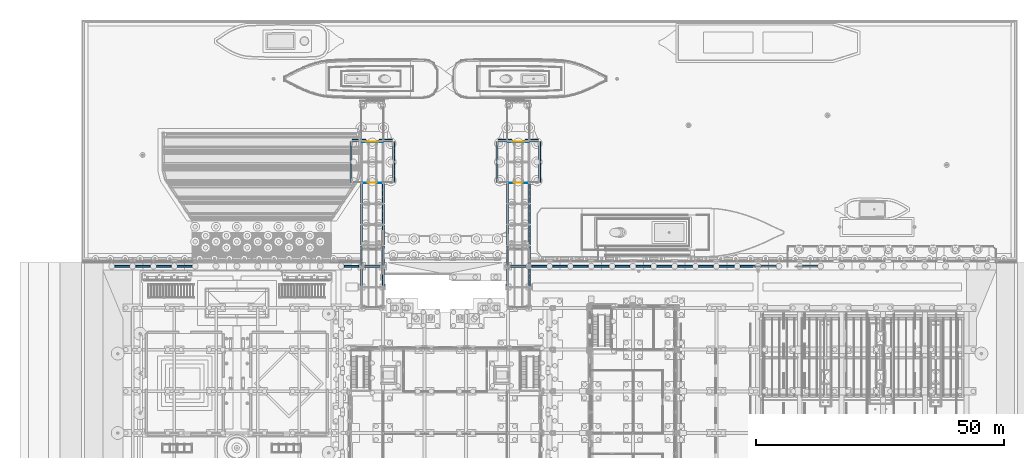
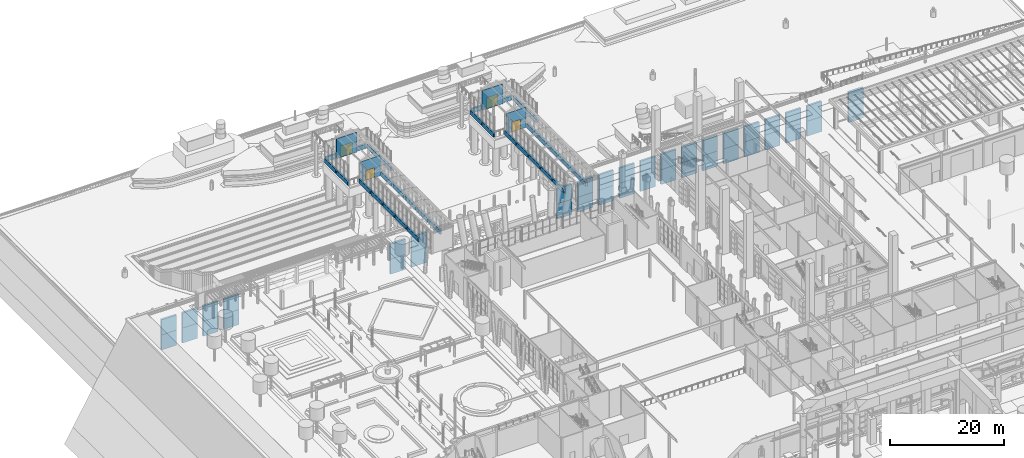
# One storey, part 102 of 222: 76 walls, 4 doors, 4 openings.
"""IFC4 building model written with IfcOpenShell, lengths in metres."""

from ifc_helpers import new_model, si_unit, direction, frame, frame_2d, origin, place, context, subcontext, project, spatial, rectangle, extrude, material, layer, layer_set, type_object, element, fill, save


model = new_model("IFC4")

# Units and contexts
model_context = context("Model", 3, precision=1e-05, world=origin(), true_north=direction((0.0, 1.0)))
body_context = subcontext(model_context, "Body", "Model", "MODEL_VIEW")
ifc_project = project(units=[si_unit("LENGTHUNIT", "METRE"), si_unit("AREAUNIT", "SQUARE_METRE"), si_unit("VOLUMEUNIT", "CUBIC_METRE"), si_unit("PLANEANGLEUNIT", "RADIAN"), si_unit("MASSUNIT", "GRAM", prefix="KILO")], contexts=[model_context])

# Site, building, storey
site_placement = place(None, origin())
site = spatial("IfcSite", under=ifc_project, at=site_placement, CompositionType="ELEMENT")
building_placement = place(site_placement, origin())
building = spatial("IfcBuilding", under=site, at=building_placement, Name="Sava Quay Ferry Terminal", CompositionType="ELEMENT")
storey_placement = place(building_placement, origin())
storey = spatial("IfcBuildingStorey", under=building, at=storey_placement, Name="L00", CompositionType="ELEMENT", Elevation=0.0)

# Wall, opening, door
ifc_material_1 = material(Name="Aluminium bronze anodised", Category="aluminium")
ifc_layer_1 = layer(ifc_material_1, 0.199951171875)
ifc_layer_set_1 = layer_set([ifc_layer_1], Name="Aluminium bronze anodised")
wall_type_1 = type_object("IfcWallType", Name="Gallery kerb wall 200", PredefinedType="SOLIDWALL", material=ifc_layer_set_1)
wall_1_placement = place(storey_placement, frame((46.199951171875, 142.699951171875, 0.0), z_axis=(0.0, 0.0, 1.0), x_axis=(1.0, 0.0, 0.0)))
wall_1 = element("IfcWall", 1, at=wall_1_placement, inside=storey, type_object=wall_type_1, Name="External wall B1 end N", PredefinedType="SOLIDWALL", context=body_context, shape_type="SweptSolid", body=[
    extrude(rectangle(XDim=4.199951171875, YDim=0.199951171875, at=frame_2d((2.10009765625, 0.0))), origin(), (0.0, 0.0, 1.0), 4.199951171875),
])
opening_1_placement = place(wall_1_placement, frame((0.89990234375, 0.0, 0.0)))
opening_1 = element("IfcOpeningElement", 2, at=opening_1_placement, cuts=wall_1, Name="Opening DB-1", PredefinedType="OPENING", context=body_context, shape_type="SweptSolid", body=[
    extrude(rectangle(XDim=2.39990234375, YDim=2.39990234375, at=frame_2d((1.199951171875, 1.199951171875))), frame((0.0, 0.10009765625, 0.0), z_axis=(0.0, -1.0, 0.0), x_axis=(1.0, 0.0, 0.0)), (0.0, 0.0, 1.0), 0.199951171875),
])
ifc_material_2 = material(Name="Aluminium bronze anodised, glazing safety laminated", Category="aluminium")
door_type_1 = type_object("IfcDoorType", Name="Entrance double door 2400x2400", OperationType="DOUBLE_DOOR_SINGLE_SWING", PredefinedType="DOOR", material=ifc_material_2)
door_1_placement = place(opening_1_placement, origin())
door_1 = element("IfcDoor", 3, at=door_1_placement, inside=storey, type_object=door_type_1, Name="Door DB-1", OperationType="DOUBLE_DOOR_SINGLE_SWING", OverallHeight=2.39990234375, OverallWidth=2.39990234375, PredefinedType="DOOR", context=body_context, shape_type="SweptSolid", body=[
    extrude(rectangle(XDim=2.39990234375, YDim=2.39990234375, at=frame_2d((1.199951171875, 1.199951171875))), frame((0.0, 0.02490234375, 0.0), z_axis=(0.0, -1.0, 0.0), x_axis=(1.0, 0.0, 0.0)), (0.0, 0.0, 1.0), 0.050048828125),
])
fill(opening_1, door_1)

wall_2_placement = place(storey_placement, frame((75.60009765625, 142.699951171875, 0.0), z_axis=(0.0, 0.0, 1.0), x_axis=(1.0, 0.0, 0.0)))
wall_2 = element("IfcWall", 4, at=wall_2_placement, inside=storey, type_object=wall_type_1, Name="External wall B2 end N", PredefinedType="SOLIDWALL", context=body_context, shape_type="SweptSolid", body=[
    extrude(rectangle(XDim=4.199951171875, YDim=0.199951171875, at=frame_2d((2.10009765625, 0.0))), origin(), (0.0, 0.0, 1.0), 4.199951171875),
])
opening_2_placement = place(wall_2_placement, frame((0.89990234375, 0.0, 0.0)))
opening_2 = element("IfcOpeningElement", 5, at=opening_2_placement, cuts=wall_2, Name="Opening DB-2", PredefinedType="OPENING", context=body_context, shape_type="SweptSolid", body=[
    extrude(rectangle(XDim=2.39990234375, YDim=2.39990234375, at=frame_2d((1.199951171875, 1.199951171875))), frame((0.0, 0.10009765625, 0.0), z_axis=(0.0, -1.0, 0.0), x_axis=(1.0, 0.0, 0.0)), (0.0, 0.0, 1.0), 0.199951171875),
])
door_2_placement = place(opening_2_placement, origin())
door_2 = element("IfcDoor", 6, at=door_2_placement, inside=storey, type_object=door_type_1, Name="Door DB-2", OperationType="DOUBLE_DOOR_SINGLE_SWING", OverallHeight=2.39990234375, OverallWidth=2.39990234375, PredefinedType="DOOR", context=body_context, shape_type="SweptSolid", body=[
    extrude(rectangle(XDim=2.39990234375, YDim=2.39990234375, at=frame_2d((1.199951171875, 1.199951171875))), frame((0.0, 0.02490234375, 0.0), z_axis=(0.0, -1.0, 0.0), x_axis=(1.0, 0.0, 0.0)), (0.0, 0.0, 1.0), 0.050048828125),
])
fill(opening_2, door_2)

# Walls
ifc_material_3 = material(Name="Limestone Mutalj", Category="masonry")
ifc_layer_2 = layer(ifc_material_3, 0.35009765625)
ifc_layer_set_2 = layer_set([ifc_layer_2], Name="Limestone Mutalj")
wall_type_2 = type_object("IfcWallType", Name="Limestone kerb and parapet 350", PredefinedType="SOLIDWALL", material=ifc_layer_set_2)
for number, where, z_axis, x_axis, name in (
    (7, (50.5, 113.550048828125, 0.0), (0.0, 0.0, 1.0), (0.0, 1.0, 0.0), "Gallery kerb"),
    (8, (50.5, 117.75, 0.0), (0.0, 0.0, 1.0), (0.0, 1.0, 0.0), "Gallery kerb"),
):
    element("IfcWall", number, at=place(storey_placement, frame(where, z_axis=z_axis, x_axis=x_axis)), inside=storey, type_object=wall_type_2, Name=name, PredefinedType="SOLIDWALL", context=body_context, shape_type="SweptSolid", body=[
        extrude(rectangle(XDim=3.89990234375, YDim=0.35009765625, at=frame_2d((1.949951171875, 0.0))), origin(), (0.0, 0.0, 1.0), 0.89990234375),
    ])
for number, where, z_axis, x_axis, name in (
    (9, (50.5, 121.949951171875, 0.0), (0.0, 0.0, 1.0), (0.0, 1.0, 0.0), "Gallery kerb"),
    (10, (50.5, 126.14990234375, 0.0), (0.0, 0.0, 1.0), (0.0, 1.0, 0.0), "Gallery kerb"),
):
    element("IfcWall", number, at=place(storey_placement, frame(where, z_axis=z_axis, x_axis=x_axis)), inside=storey, type_object=wall_type_2, Name=name, PredefinedType="SOLIDWALL", context=body_context, shape_type="SweptSolid", body=[
        extrude(rectangle(XDim=3.900146484375, YDim=0.35009765625, at=frame_2d((1.9501953125, 0.0))), origin(), (0.0, 0.0, 1.0), 0.89990234375),
    ])
for number, where, z_axis, x_axis, name in (
    (11, (50.5, 130.35009765625, 0.0), (0.0, 0.0, 1.0), (0.0, 1.0, 0.0), "Gallery kerb"),
    (12, (52.60009765625, 134.550048828125, 0.0), (0.0, 0.0, 1.0), (0.0, 1.0, 0.0), "Gallery kerb"),
    (13, (52.60009765625, 138.75, 0.0), (0.0, 0.0, 1.0), (0.0, 1.0, 0.0), "Gallery kerb"),
):
    element("IfcWall", number, at=place(storey_placement, frame(where, z_axis=z_axis, x_axis=x_axis)), inside=storey, type_object=wall_type_2, Name=name, PredefinedType="SOLIDWALL", context=body_context, shape_type="SweptSolid", body=[
        extrude(rectangle(XDim=3.89990234375, YDim=0.35009765625, at=frame_2d((1.949951171875, 0.0))), origin(), (0.0, 0.0, 1.0), 0.89990234375),
    ])
wall_3_placement = place(storey_placement, frame((44.25, 142.97509765625, 0.0), z_axis=(0.0, 0.0, 1.0), x_axis=(1.0, 0.0, 0.0)))
element("IfcWall", 14, at=wall_3_placement, inside=storey, type_object=wall_type_2, Name="Gallery kerb", PredefinedType="SOLIDWALL", context=body_context, shape_type="SweptSolid", body=[
    extrude(rectangle(XDim=2.699951171875, YDim=0.35009765625, at=frame_2d((1.35009765625, 0.0))), origin(), (0.0, 0.0, 1.0), 0.89990234375),
])
wall_4_placement = place(storey_placement, frame((49.64990234375, 142.97509765625, 0.0), z_axis=(0.0, 0.0, 1.0), x_axis=(1.0, 0.0, 0.0)))
element("IfcWall", 15, at=wall_4_placement, inside=storey, type_object=wall_type_2, Name="Gallery kerb", PredefinedType="SOLIDWALL", context=body_context, shape_type="SweptSolid", body=[
    extrude(rectangle(XDim=2.7001953125, YDim=0.35009765625, at=frame_2d((1.35009765625, 0.0))), origin(), (0.0, 0.0, 1.0), 0.89990234375),
])
for number, where, z_axis, x_axis, name in (
    (16, (44.0, 134.550048828125, 0.0), (0.0, 0.0, 1.0), (0.0, 1.0, 0.0), "Gallery kerb"),
    (17, (44.0, 138.75, 0.0), (0.0, 0.0, 1.0), (0.0, 1.0, 0.0), "Gallery kerb"),
    (18, (46.10009765625, 113.550048828125, 0.0), (0.0, 0.0, 1.0), (0.0, 1.0, 0.0), "Gallery kerb"),
    (19, (46.10009765625, 117.75, 0.0), (0.0, 0.0, 1.0), (0.0, 1.0, 0.0), "Gallery kerb"),
):
    element("IfcWall", number, at=place(storey_placement, frame(where, z_axis=z_axis, x_axis=x_axis)), inside=storey, type_object=wall_type_2, Name=name, PredefinedType="SOLIDWALL", context=body_context, shape_type="SweptSolid", body=[
        extrude(rectangle(XDim=3.89990234375, YDim=0.35009765625, at=frame_2d((1.949951171875, 0.0))), origin(), (0.0, 0.0, 1.0), 0.89990234375),
    ])
for number, where, z_axis, x_axis, name in (
    (20, (46.10009765625, 121.949951171875, 0.0), (0.0, 0.0, 1.0), (0.0, 1.0, 0.0), "Gallery kerb"),
    (21, (46.10009765625, 126.14990234375, 0.0), (0.0, 0.0, 1.0), (0.0, 1.0, 0.0), "Gallery kerb"),
):
    element("IfcWall", number, at=place(storey_placement, frame(where, z_axis=z_axis, x_axis=x_axis)), inside=storey, type_object=wall_type_2, Name=name, PredefinedType="SOLIDWALL", context=body_context, shape_type="SweptSolid", body=[
        extrude(rectangle(XDim=3.900146484375, YDim=0.35009765625, at=frame_2d((1.9501953125, 0.0))), origin(), (0.0, 0.0, 1.0), 0.89990234375),
    ])
for number, where, z_axis, x_axis, name in (
    (22, (46.10009765625, 130.35009765625, 0.0), (0.0, 0.0, 1.0), (0.0, 1.0, 0.0), "Gallery kerb"),
    (23, (79.89990234375, 113.550048828125, 0.0), (0.0, 0.0, 1.0), (0.0, 1.0, 0.0), "Gallery kerb"),
    (24, (79.89990234375, 117.75, 0.0), (0.0, 0.0, 1.0), (0.0, 1.0, 0.0), "Gallery kerb"),
):
    element("IfcWall", number, at=place(storey_placement, frame(where, z_axis=z_axis, x_axis=x_axis)), inside=storey, type_object=wall_type_2, Name=name, PredefinedType="SOLIDWALL", context=body_context, shape_type="SweptSolid", body=[
        extrude(rectangle(XDim=3.89990234375, YDim=0.35009765625, at=frame_2d((1.949951171875, 0.0))), origin(), (0.0, 0.0, 1.0), 0.89990234375),
    ])
for number, where, z_axis, x_axis, name in (
    (25, (79.89990234375, 121.949951171875, 0.0), (0.0, 0.0, 1.0), (0.0, 1.0, 0.0), "Gallery kerb"),
    (26, (79.89990234375, 126.14990234375, 0.0), (0.0, 0.0, 1.0), (0.0, 1.0, 0.0), "Gallery kerb"),
):
    element("IfcWall", number, at=place(storey_placement, frame(where, z_axis=z_axis, x_axis=x_axis)), inside=storey, type_object=wall_type_2, Name=name, PredefinedType="SOLIDWALL", context=body_context, shape_type="SweptSolid", body=[
        extrude(rectangle(XDim=3.900146484375, YDim=0.35009765625, at=frame_2d((1.9501953125, 0.0))), origin(), (0.0, 0.0, 1.0), 0.89990234375),
    ])
for number, where, z_axis, x_axis, name in (
    (27, (79.89990234375, 130.35009765625, 0.0), (0.0, 0.0, 1.0), (0.0, 1.0, 0.0), "Gallery kerb"),
    (28, (82.0, 134.550048828125, 0.0), (0.0, 0.0, 1.0), (0.0, 1.0, 0.0), "Gallery kerb"),
    (29, (82.0, 138.75, 0.0), (0.0, 0.0, 1.0), (0.0, 1.0, 0.0), "Gallery kerb"),
):
    element("IfcWall", number, at=place(storey_placement, frame(where, z_axis=z_axis, x_axis=x_axis)), inside=storey, type_object=wall_type_2, Name=name, PredefinedType="SOLIDWALL", context=body_context, shape_type="SweptSolid", body=[
        extrude(rectangle(XDim=3.89990234375, YDim=0.35009765625, at=frame_2d((1.949951171875, 0.0))), origin(), (0.0, 0.0, 1.0), 0.89990234375),
    ])
wall_5_placement = place(storey_placement, frame((73.64990234375, 142.97509765625, 0.0), z_axis=(0.0, 0.0, 1.0), x_axis=(1.0, 0.0, 0.0)))
element("IfcWall", 30, at=wall_5_placement, inside=storey, type_object=wall_type_2, Name="Gallery kerb", PredefinedType="SOLIDWALL", context=body_context, shape_type="SweptSolid", body=[
    extrude(rectangle(XDim=2.7001953125, YDim=0.35009765625, at=frame_2d((1.35009765625, 0.0))), origin(), (0.0, 0.0, 1.0), 0.89990234375),
])
wall_6_placement = place(storey_placement, frame((79.050048828125, 142.97509765625, 0.0), z_axis=(0.0, 0.0, 1.0), x_axis=(1.0, 0.0, 0.0)))
element("IfcWall", 31, at=wall_6_placement, inside=storey, type_object=wall_type_2, Name="Gallery kerb", PredefinedType="SOLIDWALL", context=body_context, shape_type="SweptSolid", body=[
    extrude(rectangle(XDim=2.699951171875, YDim=0.35009765625, at=frame_2d((1.35009765625, 0.0))), origin(), (0.0, 0.0, 1.0), 0.89990234375),
])
for number, where, z_axis, x_axis, name in (
    (32, (73.39990234375, 134.550048828125, 0.0), (0.0, 0.0, 1.0), (0.0, 1.0, 0.0), "Gallery kerb"),
    (33, (73.39990234375, 138.75, 0.0), (0.0, 0.0, 1.0), (0.0, 1.0, 0.0), "Gallery kerb"),
    (34, (75.5, 113.550048828125, 0.0), (0.0, 0.0, 1.0), (0.0, 1.0, 0.0), "Gallery kerb"),
    (35, (75.5, 117.75, 0.0), (0.0, 0.0, 1.0), (0.0, 1.0, 0.0), "Gallery kerb"),
):
    element("IfcWall", number, at=place(storey_placement, frame(where, z_axis=z_axis, x_axis=x_axis)), inside=storey, type_object=wall_type_2, Name=name, PredefinedType="SOLIDWALL", context=body_context, shape_type="SweptSolid", body=[
        extrude(rectangle(XDim=3.89990234375, YDim=0.35009765625, at=frame_2d((1.949951171875, 0.0))), origin(), (0.0, 0.0, 1.0), 0.89990234375),
    ])
for number, where, z_axis, x_axis, name in (
    (36, (75.5, 121.949951171875, 0.0), (0.0, 0.0, 1.0), (0.0, 1.0, 0.0), "Gallery kerb"),
    (37, (75.5, 126.14990234375, 0.0), (0.0, 0.0, 1.0), (0.0, 1.0, 0.0), "Gallery kerb"),
):
    element("IfcWall", number, at=place(storey_placement, frame(where, z_axis=z_axis, x_axis=x_axis)), inside=storey, type_object=wall_type_2, Name=name, PredefinedType="SOLIDWALL", context=body_context, shape_type="SweptSolid", body=[
        extrude(rectangle(XDim=3.900146484375, YDim=0.35009765625, at=frame_2d((1.9501953125, 0.0))), origin(), (0.0, 0.0, 1.0), 0.89990234375),
    ])
wall_7_placement = place(storey_placement, frame((75.5, 130.35009765625, 0.0), z_axis=(0.0, 0.0, 1.0), x_axis=(0.0, 1.0, 0.0)))
element("IfcWall", 38, at=wall_7_placement, inside=storey, type_object=wall_type_2, Name="Gallery kerb", PredefinedType="SOLIDWALL", context=body_context, shape_type="SweptSolid", body=[
    extrude(rectangle(XDim=3.89990234375, YDim=0.35009765625, at=frame_2d((1.949951171875, 0.0))), origin(), (0.0, 0.0, 1.0), 0.89990234375),
])
ifc_material_4 = material(Name="Concrete C40/50", Category="concrete")
ifc_layer_3 = layer(ifc_material_4, 0.39990234375)
ifc_layer_set_3 = layer_set([ifc_layer_3], Name="Concrete C40/50")
wall_type_3 = type_object("IfcWallType", Name="Quay face panel 400", PredefinedType="SOLIDWALL", material=ifc_layer_set_3)
for number, where, z_axis, x_axis, name in (
    (39, (-3.599609375, 117.60009765625, -4.875), (0.0, 0.0, 1.0), (1.0, 0.0, 0.0), "Quay face panel"),
    (40, (-3.599609375, 117.60009765625, -8.10009765625), (0.0, 0.0, 1.0), (1.0, 0.0, 0.0), "Quay face panel"),
    (41, (0.6005859375, 117.60009765625, -4.875), (0.0, 0.0, 1.0), (1.0, 0.0, 0.0), "Quay face panel"),
    (42, (0.6005859375, 117.60009765625, -8.10009765625), (0.0, 0.0, 1.0), (1.0, 0.0, 0.0), "Quay face panel"),
    (43, (4.800537109375, 117.60009765625, -4.875), (0.0, 0.0, 1.0), (1.0, 0.0, 0.0), "Quay face panel"),
    (44, (4.800537109375, 117.60009765625, -8.10009765625), (0.0, 0.0, 1.0), (1.0, 0.0, 0.0), "Quay face panel"),
    (45, (9.00048828125, 117.60009765625, -4.875), (0.0, 0.0, 1.0), (1.0, 0.0, 0.0), "Quay face panel"),
    (46, (9.00048828125, 117.60009765625, -8.10009765625), (0.0, 0.0, 1.0), (1.0, 0.0, 0.0), "Quay face panel"),
    (47, (42.6005859375, 117.60009765625, -4.875), (0.0, 0.0, 1.0), (1.0, 0.0, 0.0), "Quay face panel"),
    (48, (42.6005859375, 117.60009765625, -8.10009765625), (0.0, 0.0, 1.0), (1.0, 0.0, 0.0), "Quay face panel"),
    (49, (46.800537109375, 117.60009765625, -4.875), (0.0, 0.0, 1.0), (1.0, 0.0, 0.0), "Quay face panel"),
    (50, (46.800537109375, 117.60009765625, -8.10009765625), (0.0, 0.0, 1.0), (1.0, 0.0, 0.0), "Quay face panel"),
    (51, (76.200439453125, 117.60009765625, -4.875), (0.0, 0.0, 1.0), (1.0, 0.0, 0.0), "Quay face panel"),
    (52, (76.200439453125, 117.60009765625, -8.10009765625), (0.0, 0.0, 1.0), (1.0, 0.0, 0.0), "Quay face panel"),
    (53, (80.400390625, 117.60009765625, -4.875), (0.0, 0.0, 1.0), (1.0, 0.0, 0.0), "Quay face panel"),
    (54, (80.400390625, 117.60009765625, -8.10009765625), (0.0, 0.0, 1.0), (1.0, 0.0, 0.0), "Quay face panel"),
    (55, (84.6005859375, 117.60009765625, -4.875), (0.0, 0.0, 1.0), (1.0, 0.0, 0.0), "Quay face panel"),
    (56, (84.6005859375, 117.60009765625, -8.10009765625), (0.0, 0.0, 1.0), (1.0, 0.0, 0.0), "Quay face panel"),
    (57, (88.800537109375, 117.60009765625, -4.875), (0.0, 0.0, 1.0), (1.0, 0.0, 0.0), "Quay face panel"),
    (58, (88.800537109375, 117.60009765625, -8.10009765625), (0.0, 0.0, 1.0), (1.0, 0.0, 0.0), "Quay face panel"),
    (59, (93.00048828125, 117.60009765625, -4.875), (0.0, 0.0, 1.0), (1.0, 0.0, 0.0), "Quay face panel"),
    (60, (93.00048828125, 117.60009765625, -8.10009765625), (0.0, 0.0, 1.0), (1.0, 0.0, 0.0), "Quay face panel"),
    (61, (97.200439453125, 117.60009765625, -4.875), (0.0, 0.0, 1.0), (1.0, 0.0, 0.0), "Quay face panel"),
    (62, (97.200439453125, 117.60009765625, -8.10009765625), (0.0, 0.0, 1.0), (1.0, 0.0, 0.0), "Quay face panel"),
    (63, (101.400390625, 117.60009765625, -4.875), (0.0, 0.0, 1.0), (1.0, 0.0, 0.0), "Quay face panel"),
    (64, (101.400390625, 117.60009765625, -8.10009765625), (0.0, 0.0, 1.0), (1.0, 0.0, 0.0), "Quay face panel"),
    (65, (105.6005859375, 117.60009765625, -4.875), (0.0, 0.0, 1.0), (1.0, 0.0, 0.0), "Quay face panel"),
    (66, (105.6005859375, 117.60009765625, -8.10009765625), (0.0, 0.0, 1.0), (1.0, 0.0, 0.0), "Quay face panel"),
    (67, (109.800537109375, 117.60009765625, -4.875), (0.0, 0.0, 1.0), (1.0, 0.0, 0.0), "Quay face panel"),
    (68, (109.800537109375, 117.60009765625, -8.10009765625), (0.0, 0.0, 1.0), (1.0, 0.0, 0.0), "Quay face panel"),
    (69, (114.00048828125, 117.60009765625, -4.875), (0.0, 0.0, 1.0), (1.0, 0.0, 0.0), "Quay face panel"),
    (70, (114.00048828125, 117.60009765625, -8.10009765625), (0.0, 0.0, 1.0), (1.0, 0.0, 0.0), "Quay face panel"),
    (71, (118.200439453125, 117.60009765625, -4.875), (0.0, 0.0, 1.0), (1.0, 0.0, 0.0), "Quay face panel"),
    (72, (118.200439453125, 117.60009765625, -8.10009765625), (0.0, 0.0, 1.0), (1.0, 0.0, 0.0), "Quay face panel"),
    (73, (122.400390625, 117.60009765625, -4.875), (0.0, 0.0, 1.0), (1.0, 0.0, 0.0), "Quay face panel"),
    (74, (122.400390625, 117.60009765625, -8.10009765625), (0.0, 0.0, 1.0), (1.0, 0.0, 0.0), "Quay face panel"),
    (75, (126.6005859375, 117.60009765625, -4.875), (0.0, 0.0, 1.0), (1.0, 0.0, 0.0), "Quay face panel"),
    (76, (126.6005859375, 117.60009765625, -8.10009765625), (0.0, 0.0, 1.0), (1.0, 0.0, 0.0), "Quay face panel"),
    (77, (135.00048828125, 117.60009765625, -4.875), (0.0, 0.0, 1.0), (1.0, 0.0, 0.0), "Quay face panel"),
    (78, (135.00048828125, 117.60009765625, -8.10009765625), (0.0, 0.0, 1.0), (1.0, 0.0, 0.0), "Quay face panel"),
):
    element("IfcWall", number, at=place(storey_placement, frame(where, z_axis=z_axis, x_axis=x_axis)), inside=storey, type_object=wall_type_3, Name=name, PredefinedType="SOLIDWALL", context=body_context, shape_type="SweptSolid", body=[
        extrude(rectangle(XDim=2.9990234375, YDim=0.39990234375, at=frame_2d((1.49951171875, 0.0))), origin(), (0.0, 0.0, 1.0), 3.22509765625),
    ])

# Wall, opening, door
ifc_material_5 = material(Name="Plasterboard on steel studs", Category="steel")
ifc_layer_4 = layer(ifc_material_5, 0.125)
ifc_layer_set_4 = layer_set([ifc_layer_4], Name="Plasterboard on steel studs")
wall_type_4 = type_object("IfcWallType", Name="Room partition, plasterboard on steel studs 125", PredefinedType="PARTITIONING", material=ifc_layer_set_4)
wall_8_placement = place(storey_placement, frame((46.320068359375, 134.39990234375, 0.0), z_axis=(0.0, 0.0, 1.0), x_axis=(1.0, 0.0, 0.0)))
wall_8 = element("IfcWall", 79, at=wall_8_placement, inside=storey, type_object=wall_type_4, Name="Room partition, plasterboard on steel studs 125", PredefinedType="PARTITIONING", context=body_context, shape_type="SweptSolid", body=[
    extrude(rectangle(XDim=3.9599609375, YDim=0.125, at=frame_2d((1.97998046875, 0.0))), origin(), (0.0, 0.0, 1.0), 4.300048828125),
])
opening_3_placement = place(wall_8_placement, frame((1.030029296875, 0.0, 0.0)))
opening_3 = element("IfcOpeningElement", 80, at=opening_3_placement, cuts=wall_8, Name="Opening D0036", PredefinedType="OPENING", context=body_context, shape_type="SweptSolid", body=[
    extrude(rectangle(XDim=1.800048828125, YDim=2.10009765625, at=frame_2d((0.89990234375, 1.050048828125))), frame((0.0, 0.0625, 0.0), z_axis=(0.0, -1.0, 0.0), x_axis=(1.0, 0.0, 0.0)), (0.0, 0.0, 1.0), 0.125),
])
ifc_material_6 = material(Name="Timber door set", Category="wood")
door_type_2 = type_object("IfcDoorType", Name="Double door 1800 x 2100", OperationType="NOTDEFINED", PredefinedType="DOOR", material=ifc_material_6)
door_3_placement = place(opening_3_placement, origin())
door_3 = element("IfcDoor", 81, at=door_3_placement, inside=storey, type_object=door_type_2, Name="Door D0036", OperationType="DOUBLE_DOOR_DOUBLE_SWING", OverallHeight=2.10009765625, OverallWidth=1.800048828125, PredefinedType="DOOR", context=body_context, shape_type="SweptSolid", body=[
    extrude(rectangle(XDim=1.800048828125, YDim=2.10009765625, at=frame_2d((0.89990234375, 1.050048828125))), frame((0.0, 0.02490234375, 0.0), z_axis=(0.0, -1.0, 0.0), x_axis=(1.0, 0.0, 0.0)), (0.0, 0.0, 1.0), 0.050048828125),
])
fill(opening_3, door_3)

wall_9_placement = place(storey_placement, frame((75.719970703125, 134.39990234375, 0.0), z_axis=(0.0, 0.0, 1.0), x_axis=(1.0, 0.0, 0.0)))
wall_9 = element("IfcWall", 82, at=wall_9_placement, inside=storey, type_object=wall_type_4, Name="Room partition, plasterboard on steel studs 125", PredefinedType="PARTITIONING", context=body_context, shape_type="SweptSolid", body=[
    extrude(rectangle(XDim=3.9599609375, YDim=0.125, at=frame_2d((1.97998046875, 0.0))), origin(), (0.0, 0.0, 1.0), 4.300048828125),
])
opening_4_placement = place(wall_9_placement, frame((1.030029296875, 0.0, 0.0)))
opening_4 = element("IfcOpeningElement", 83, at=opening_4_placement, cuts=wall_9, Name="Opening D0037", PredefinedType="OPENING", context=body_context, shape_type="SweptSolid", body=[
    extrude(rectangle(XDim=1.800048828125, YDim=2.10009765625, at=frame_2d((0.89990234375, 1.050048828125))), frame((0.0, 0.0625, 0.0), z_axis=(0.0, -1.0, 0.0), x_axis=(1.0, 0.0, 0.0)), (0.0, 0.0, 1.0), 0.125),
])
door_4_placement = place(opening_4_placement, origin())
door_4 = element("IfcDoor", 84, at=door_4_placement, inside=storey, type_object=door_type_2, Name="Door D0037", OperationType="DOUBLE_DOOR_DOUBLE_SWING", OverallHeight=2.10009765625, OverallWidth=1.800048828125, PredefinedType="DOOR", context=body_context, shape_type="SweptSolid", body=[
    extrude(rectangle(XDim=1.800048828125, YDim=2.10009765625, at=frame_2d((0.89990234375, 1.050048828125))), frame((0.0, 0.02490234375, 0.0), z_axis=(0.0, -1.0, 0.0), x_axis=(1.0, 0.0, 0.0)), (0.0, 0.0, 1.0), 0.050048828125),
])
fill(opening_4, door_4)

save(model, "model.ifc")
